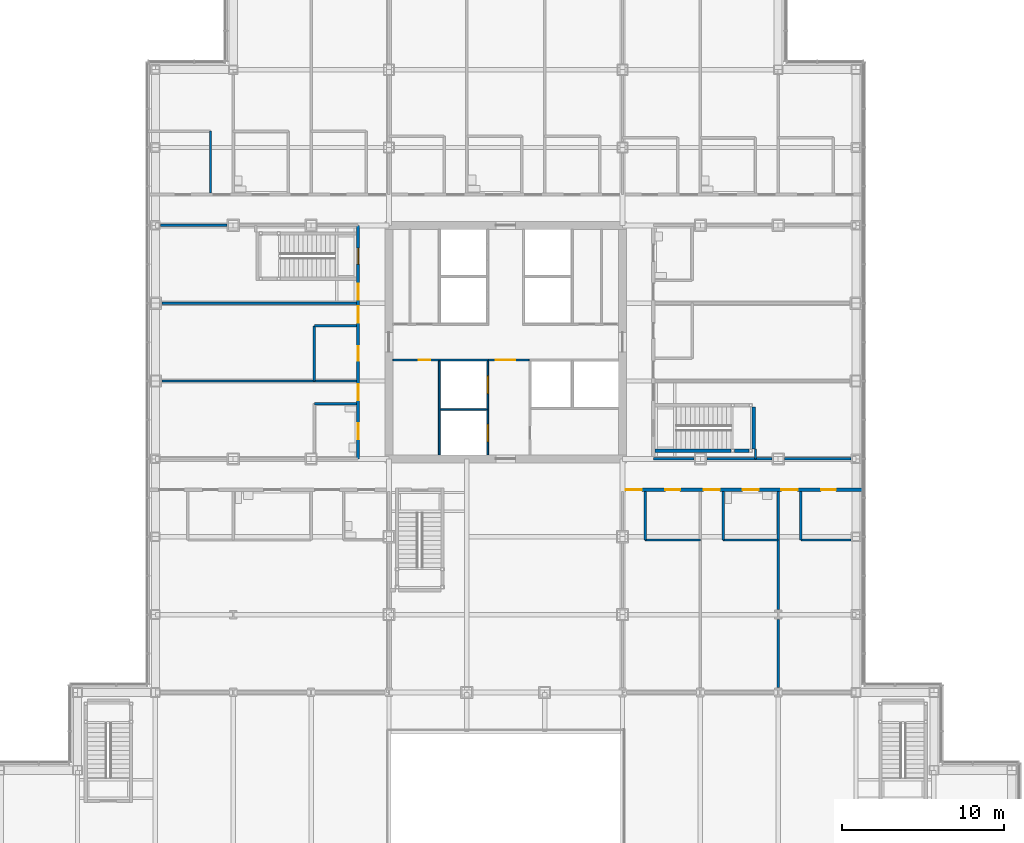
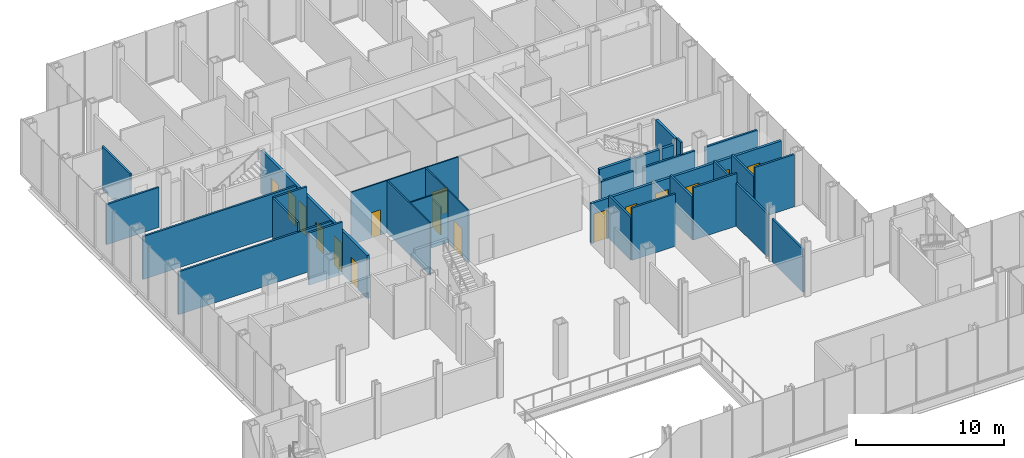
# One storey, part 20 of 25: 29 walls, 16 doors, 16 openings.
"""IFC4 building model written with IfcOpenShell, lengths in metres."""

from ifc_helpers import new_model, si_unit, direction, frame, frame_2d, origin, place, context, subcontext, project, spatial, rectangle, extrude, material, layer, layer_set, type_object, element, fill, save


model = new_model("IFC4")

# Units and contexts
model_context = context("Model", 3, precision=1e-05, world=origin(), true_north=direction((0.0, 1.0)))
body_context = subcontext(model_context, "Body", "Model", "MODEL_VIEW")
ifc_project = project(units=[si_unit("LENGTHUNIT", "METRE"), si_unit("AREAUNIT", "SQUARE_METRE"), si_unit("VOLUMEUNIT", "CUBIC_METRE"), si_unit("PLANEANGLEUNIT", "RADIAN"), si_unit("MASSUNIT", "GRAM", prefix="KILO")], contexts=[model_context])

# Site, building, storey
site_placement = place(None, origin())
site = spatial("IfcSite", under=ifc_project, at=site_placement, CompositionType="ELEMENT")
building_placement = place(site_placement, origin())
building = spatial("IfcBuilding", under=site, at=building_placement, Name="Kvirike Care Tower", CompositionType="ELEMENT")
storey_placement = place(building_placement, frame((0.0, 0.0, 13.5)))
storey = spatial("IfcBuildingStorey", under=building, at=storey_placement, Name="L03", CompositionType="ELEMENT", Elevation=13.5)

# Walls
ifc_material_1 = material(Name="Plasterboard partition", Category="gypsum")
ifc_layer_1 = layer(ifc_material_1, 0.14990234375)
ifc_layer_set_1 = layer_set([ifc_layer_1], Name="CLINIC PARTITION 150")
wall_type_1 = type_object("IfcWallType", Name="CLINIC PARTITION 150", PredefinedType="PARTITIONING", material=ifc_layer_set_1)
wall_1_placement = place(storey_placement, frame((9.800048828125, 37.0, 0.0), z_axis=(0.0, 0.0, 1.0), x_axis=(1.0, 0.0, 0.0)))
element("IfcWall", 1, at=wall_1_placement, inside=storey, type_object=wall_type_1, Name="Clinic Partition 150 L03", PredefinedType="PARTITIONING", context=body_context, shape_type="SweptSolid", body=[
    extrude(rectangle(XDim=2.599853515625, YDim=0.14990234375, at=frame_2d((1.2998046875, 0.0))), origin(), (0.0, 0.0, 1.0), 4.330078125),
])
wall_2_placement = place(storey_placement, frame((9.800048828125, 37.0, 0.0), z_axis=(0.0, 0.0, 1.0), x_axis=(0.0, -1.0, 0.0)))
element("IfcWall", 2, at=wall_2_placement, inside=storey, type_object=wall_type_1, Name="Clinic Partition 150 L03", PredefinedType="PARTITIONING", context=body_context, shape_type="SweptSolid", body=[
    extrude(rectangle(XDim=3.39990234375, YDim=0.14990234375, at=frame_2d((1.699951171875, 0.0))), origin(), (0.0, 0.0, 1.0), 4.330078125),
])
wall_3_placement = place(storey_placement, frame((9.800048828125, 32.199951171875, 0.0), z_axis=(0.0, 0.0, 1.0), x_axis=(1.0, 0.0, 0.0)))
element("IfcWall", 3, at=wall_3_placement, inside=storey, type_object=wall_type_1, Name="Clinic Partition 150 L03", PredefinedType="PARTITIONING", context=body_context, shape_type="SweptSolid", body=[
    extrude(rectangle(XDim=2.599853515625, YDim=0.14990234375, at=frame_2d((1.2998046875, 0.0))), origin(), (0.0, 0.0, 1.0), 4.330078125),
])
for number, where, z_axis, x_axis, name in (
    (4, (0.39501953125, 38.39990234375, 0.0), (0.0, 0.0, 1.0), (1.0, 0.0, 0.0), "Clinic Partition 150 L03"),
    (5, (0.39501953125, 33.60009765625, 0.0), (0.0, 0.0, 1.0), (1.0, 0.0, 0.0), "Clinic Partition 150 L03"),
):
    element("IfcWall", number, at=place(storey_placement, frame(where, z_axis=z_axis, x_axis=x_axis)), inside=storey, type_object=wall_type_1, Name=name, PredefinedType="PARTITIONING", context=body_context, shape_type="SweptSolid", body=[
        extrude(rectangle(XDim=12.0048828125, YDim=0.14990234375, at=frame_2d((6.00244140625, 0.0))), origin(), (0.0, 0.0, 1.0), 3.550048828125),
    ])
wall_4_placement = place(storey_placement, frame((3.39990234375, 49.0, 0.0), z_axis=(0.0, 0.0, 1.0), x_axis=(0.0, -1.0, 0.0)))
element("IfcWall", 6, at=wall_4_placement, inside=storey, type_object=wall_type_1, Name="Clinic Partition 150 L03", PredefinedType="PARTITIONING", context=body_context, shape_type="SweptSolid", body=[
    extrude(rectangle(XDim=3.800048828125, YDim=0.14990234375, at=frame_2d((1.89990234375, 0.0))), origin(), (0.0, 0.0, 1.0), 3.550048828125),
])
wall_5_placement = place(storey_placement, frame((30.199951171875, 23.800048828125, 0.0), z_axis=(0.0, 0.0, 1.0), x_axis=(0.0, 1.0, 0.0)))
element("IfcWall", 7, at=wall_5_placement, inside=storey, type_object=wall_type_1, Name="Clinic Partition 150 L03", PredefinedType="PARTITIONING", context=body_context, shape_type="SweptSolid", body=[
    extrude(rectangle(XDim=3.0, YDim=0.14990234375, at=frame_2d((1.5, 0.0))), origin(), (0.0, 0.0, 1.0), 3.550048828125),
])
wall_6_placement = place(storey_placement, frame((30.199951171875, 23.800048828125, 0.0), z_axis=(0.0, 0.0, 1.0), x_axis=(1.0, 0.0, 0.0)))
element("IfcWall", 8, at=wall_6_placement, inside=storey, type_object=wall_type_1, Name="Clinic Partition 150 L03", PredefinedType="PARTITIONING", context=body_context, shape_type="SweptSolid", body=[
    extrude(rectangle(XDim=3.400146484375, YDim=0.14990234375, at=frame_2d((1.7001953125, 0.0))), origin(), (0.0, 0.0, 1.0), 4.330078125),
])
wall_7_placement = place(storey_placement, frame((35.0, 23.800048828125, 0.0), z_axis=(0.0, 0.0, 1.0), x_axis=(0.0, 1.0, 0.0)))
element("IfcWall", 9, at=wall_7_placement, inside=storey, type_object=wall_type_1, Name="Clinic Partition 150 L03", PredefinedType="PARTITIONING", context=body_context, shape_type="SweptSolid", body=[
    extrude(rectangle(XDim=3.0, YDim=0.14990234375, at=frame_2d((1.5, 0.0))), origin(), (0.0, 0.0, 1.0), 3.550048828125),
])
wall_8_placement = place(storey_placement, frame((35.0, 23.800048828125, 0.0), z_axis=(0.0, 0.0, 1.0), x_axis=(1.0, 0.0, 0.0)))
element("IfcWall", 10, at=wall_8_placement, inside=storey, type_object=wall_type_1, Name="Clinic Partition 150 L03", PredefinedType="PARTITIONING", context=body_context, shape_type="SweptSolid", body=[
    extrude(rectangle(XDim=3.39990234375, YDim=0.14990234375, at=frame_2d((1.699951171875, 0.0))), origin(), (0.0, 0.0, 1.0), 4.330078125),
])
wall_9_placement = place(storey_placement, frame((39.800048828125, 23.800048828125, 0.0), z_axis=(0.0, 0.0, 1.0), x_axis=(0.0, 1.0, 0.0)))
element("IfcWall", 11, at=wall_9_placement, inside=storey, type_object=wall_type_1, Name="Clinic Partition 150 L03", PredefinedType="PARTITIONING", context=body_context, shape_type="SweptSolid", body=[
    extrude(rectangle(XDim=3.0, YDim=0.14990234375, at=frame_2d((1.5, 0.0))), origin(), (0.0, 0.0, 1.0), 3.550048828125),
])
wall_10_placement = place(storey_placement, frame((39.800048828125, 23.800048828125, 0.0), z_axis=(0.0, 0.0, 1.0), x_axis=(1.0, 0.0, 0.0)))
element("IfcWall", 12, at=wall_10_placement, inside=storey, type_object=wall_type_1, Name="Clinic Partition 150 L03", PredefinedType="PARTITIONING", context=body_context, shape_type="SweptSolid", body=[
    extrude(rectangle(XDim=3.079833984375, YDim=0.14990234375, at=frame_2d((1.5400390625, 0.0))), origin(), (0.0, 0.0, 1.0), 4.330078125),
])
wall_11_placement = place(storey_placement, frame((38.39990234375, 14.70458984375, 0.0), z_axis=(0.0, 0.0, 1.0), x_axis=(0.0, 1.0, 0.0)))
element("IfcWall", 13, at=wall_11_placement, inside=storey, type_object=wall_type_1, Name="Clinic Partition 150 L03", PredefinedType="PARTITIONING", context=body_context, shape_type="SweptSolid", body=[
    extrude(rectangle(XDim=4.19091796875, YDim=0.14990234375, at=frame_2d((2.095458984375, 0.0))), origin(), (0.0, 0.0, 1.0), 3.550048828125),
])
wall_12_placement = place(storey_placement, frame((38.39990234375, 19.50439453125, 0.0), z_axis=(0.0, 0.0, 1.0), x_axis=(0.0, 1.0, 0.0)))
element("IfcWall", 14, at=wall_12_placement, inside=storey, type_object=wall_type_1, Name="Clinic Partition 150 L03", PredefinedType="PARTITIONING", context=body_context, shape_type="SweptSolid", body=[
    extrude(rectangle(XDim=7.295654296875, YDim=0.14990234375, at=frame_2d((3.64794921875, 0.0))), origin(), (0.0, 0.0, 1.0), 3.550048828125),
])
wall_13_placement = place(storey_placement, frame((37.0, 28.800048828125, 0.0), z_axis=(0.0, 0.0, 1.0), x_axis=(0.0, 1.0, 0.0)))
element("IfcWall", 15, at=wall_13_placement, inside=storey, type_object=wall_type_1, Name="Clinic Partition 150 L03", PredefinedType="PARTITIONING", context=body_context, shape_type="SweptSolid", body=[
    extrude(rectangle(XDim=0.599853515625, YDim=0.14990234375, at=frame_2d((0.2998046875, 0.0))), origin(), (0.0, 0.0, 1.0), 4.330078125),
])
for number, where, z_axis, x_axis, name in (
    (16, (4.405029296875, 43.199951171875, 0.0), (0.0, 0.0, 1.0), (-1.0, 0.0, 0.0), "Clinic Partition 150 L03"),
    (17, (42.8798828125, 28.800048828125, 0.0), (0.0, 0.0, 1.0), (-1.0, 0.0, 0.0), "Clinic Partition 150 L03"),
):
    element("IfcWall", number, at=place(storey_placement, frame(where, z_axis=z_axis, x_axis=x_axis)), inside=storey, type_object=wall_type_1, Name=name, PredefinedType="PARTITIONING", context=body_context, shape_type="SweptSolid", body=[
        extrude(rectangle(XDim=4.0849609375, YDim=0.14990234375, at=frame_2d((2.04248046875, 0.0))), origin(), (0.0, 0.0, 1.0), 3.320068359375),
    ])
wall_14_placement = place(storey_placement, frame((38.0048828125, 28.800048828125, 0.0), z_axis=(0.0, 0.0, 1.0), x_axis=(-1.0, 0.0, 0.0)))
element("IfcWall", 18, at=wall_14_placement, inside=storey, type_object=wall_type_1, Name="Clinic Partition 150 L03", PredefinedType="PARTITIONING", context=body_context, shape_type="SweptSolid", body=[
    extrude(rectangle(XDim=4.009765625, YDim=0.14990234375, at=frame_2d((2.0048828125, 0.0))), origin(), (0.0, 0.0, 1.0), 3.320068359375),
])
wall_15_placement = place(storey_placement, frame((33.205078125, 28.800048828125, 0.0), z_axis=(0.0, 0.0, 1.0), x_axis=(-1.0, 0.0, 0.0)))
element("IfcWall", 19, at=wall_15_placement, inside=storey, type_object=wall_type_1, Name="Clinic Partition 150 L03", PredefinedType="PARTITIONING", context=body_context, shape_type="SweptSolid", body=[
    extrude(rectangle(XDim=2.505126953125, YDim=0.14990234375, at=frame_2d((1.25244140625, 0.0))), origin(), (0.0, 0.0, 1.0), 3.320068359375),
])

# Wall, openings, doors
ifc_material_2 = material(Name="Plasterboard corridor wall", Category="gypsum")
ifc_layer_2 = layer(ifc_material_2, 0.199951171875)
ifc_layer_set_2 = layer_set([ifc_layer_2], Name="CORRIDOR WALL 200")
wall_type_2 = type_object("IfcWallType", Name="CORRIDOR WALL 200", PredefinedType="PARTITIONING", material=ifc_layer_set_2)
wall_16_placement = place(storey_placement, frame((12.5, 43.199951171875, 0.0), z_axis=(0.0, 0.0, 1.0), x_axis=(0.0, -1.0, 0.0)))
wall_16 = element("IfcWall", 20, at=wall_16_placement, inside=storey, type_object=wall_type_2, Name="Corridor Wall 200 L03", PredefinedType="PARTITIONING", context=body_context, shape_type="SweptSolid", body=[
    extrude(rectangle(XDim=14.39990234375, YDim=0.199951171875, at=frame_2d((7.199951171875, 0.0))), origin(), (0.0, 0.0, 1.0), 3.550048828125),
])
opening_1_placement = place(wall_16_placement, frame((1.39990234375, 0.0, 0.0)))
opening_1 = element("IfcOpeningElement", 21, at=opening_1_placement, cuts=wall_16, Name="Opening 03-006", PredefinedType="OPENING", context=body_context, shape_type="SweptSolid", body=[
    extrude(rectangle(XDim=1.0, YDim=2.10009765625, at=frame_2d((0.5, 1.050048828125))), frame((0.0, 0.110595703125, 0.0), z_axis=(0.0, -1.0, 0.0), x_axis=(1.0, 0.0, 0.0)), (0.0, 0.0, 1.0), 0.220947265625),
])
opening_2_placement = place(wall_16_placement, frame((3.60009765625, 0.0, 0.0)))
opening_2 = element("IfcOpeningElement", 22, at=opening_2_placement, cuts=wall_16, Name="Opening 03-007", PredefinedType="OPENING", context=body_context, shape_type="SweptSolid", body=[
    extrude(rectangle(XDim=1.0, YDim=2.39990234375, at=frame_2d((0.5, 1.199951171875))), frame((0.0, 0.110595703125, 0.0), z_axis=(0.0, -1.0, 0.0), x_axis=(1.0, 0.0, 0.0)), (0.0, 0.0, 1.0), 0.220947265625),
])
opening_3_placement = place(wall_16_placement, frame((5.0, 0.0, 0.0)))
opening_3 = element("IfcOpeningElement", 23, at=opening_3_placement, cuts=wall_16, Name="Opening 03-008", PredefinedType="OPENING", context=body_context, shape_type="SweptSolid", body=[
    extrude(rectangle(XDim=1.0, YDim=2.39990234375, at=frame_2d((0.5, 1.199951171875))), frame((0.0, 0.110595703125, 0.0), z_axis=(0.0, -1.0, 0.0), x_axis=(1.0, 0.0, 0.0)), (0.0, 0.0, 1.0), 0.220947265625),
])
opening_4_placement = place(wall_16_placement, frame((9.800048828125, 0.0, 0.0)))
opening_4 = element("IfcOpeningElement", 24, at=opening_4_placement, cuts=wall_16, Name="Opening 03-009", PredefinedType="OPENING", context=body_context, shape_type="SweptSolid", body=[
    extrude(rectangle(XDim=1.0, YDim=2.39990234375, at=frame_2d((0.5, 1.199951171875))), frame((0.0, 0.110595703125, 0.0), z_axis=(0.0, -1.0, 0.0), x_axis=(1.0, 0.0, 0.0)), (0.0, 0.0, 1.0), 0.220947265625),
])
opening_5_placement = place(wall_16_placement, frame((7.449951171875, 0.0, 0.0)))
opening_5 = element("IfcOpeningElement", 25, at=opening_5_placement, cuts=wall_16, Name="Opening 03-010", PredefinedType="OPENING", context=body_context, shape_type="SweptSolid", body=[
    extrude(rectangle(XDim=0.89990234375, YDim=2.10009765625, at=frame_2d((0.449951171875, 1.050048828125))), frame((0.0, 0.110595703125, 0.0), z_axis=(0.0, -1.0, 0.0), x_axis=(1.0, 0.0, 0.0)), (0.0, 0.0, 1.0), 0.220947265625),
])
opening_6_placement = place(wall_16_placement, frame((12.199951171875, 0.0, 0.0)))
opening_6 = element("IfcOpeningElement", 26, at=opening_6_placement, cuts=wall_16, Name="Opening 03-011", PredefinedType="OPENING", context=body_context, shape_type="SweptSolid", body=[
    extrude(rectangle(XDim=1.0, YDim=2.10009765625, at=frame_2d((0.5, 1.050048828125))), frame((0.0, 0.110595703125, 0.0), z_axis=(0.0, -1.0, 0.0), x_axis=(1.0, 0.0, 0.0)), (0.0, 0.0, 1.0), 0.220947265625),
])
ifc_material_3 = material(Name="Timber door set", Category="wood")
door_type_1 = type_object("IfcDoorType", Name="CONSULTING ROOM DOOR 1000", OperationType="SINGLE_SWING_LEFT", PredefinedType="DOOR", material=ifc_material_3)
door_1_placement = place(opening_2_placement, frame((1.0, 0.0, 0.0), z_axis=(0.0, 0.0, 1.0), x_axis=(-1.0, 0.0, 0.0)))
door_1 = element("IfcDoor", 27, at=door_1_placement, inside=storey, type_object=door_type_1, Name="Card room door", OperationType="SINGLE_SWING_LEFT", OverallHeight=2.39990234375, OverallWidth=1.0, PredefinedType="DOOR", context=body_context, shape_type="SweptSolid", body=[
    extrude(rectangle(XDim=1.0, YDim=2.39990234375, at=frame_2d((0.5, 1.199951171875))), frame((0.0, 0.02685546875, 0.0), z_axis=(0.0, -1.0, 0.0), x_axis=(1.0, 0.0, 0.0)), (0.0, 0.0, 1.0), 0.053955078125),
])
fill(opening_2, door_1)
door_2_placement = place(opening_3_placement, frame((1.0, 0.0, 0.0), z_axis=(0.0, 0.0, 1.0), x_axis=(-1.0, 0.0, 0.0)))
door_2 = element("IfcDoor", 28, at=door_2_placement, inside=storey, type_object=door_type_1, Name="Games room door", OperationType="SINGLE_SWING_RIGHT", OverallHeight=2.39990234375, OverallWidth=1.0, PredefinedType="DOOR", context=body_context, shape_type="SweptSolid", body=[
    extrude(rectangle(XDim=1.0, YDim=2.39990234375, at=frame_2d((0.5, 1.199951171875))), frame((0.0, 0.02685546875, 0.0), z_axis=(0.0, -1.0, 0.0), x_axis=(1.0, 0.0, 0.0)), (0.0, 0.0, 1.0), 0.053955078125),
])
fill(opening_3, door_2)
door_3_placement = place(opening_4_placement, frame((1.0, 0.0, 0.0), z_axis=(0.0, 0.0, 1.0), x_axis=(-1.0, 0.0, 0.0)))
door_3 = element("IfcDoor", 29, at=door_3_placement, inside=storey, type_object=door_type_1, Name="Games room door", OperationType="SINGLE_SWING_RIGHT", OverallHeight=2.39990234375, OverallWidth=1.0, PredefinedType="DOOR", context=body_context, shape_type="SweptSolid", body=[
    extrude(rectangle(XDim=1.0, YDim=2.39990234375, at=frame_2d((0.5, 1.199951171875))), frame((0.0, 0.02685546875, 0.0), z_axis=(0.0, -1.0, 0.0), x_axis=(1.0, 0.0, 0.0)), (0.0, 0.0, 1.0), 0.053955078125),
])
fill(opening_4, door_3)
ifc_material_4 = material(Name="Timber door set", Category="wood")
door_type_2 = type_object("IfcDoorType", Name="STAIR DOOR 1000", OperationType="SINGLE_SWING_LEFT", PredefinedType="DOOR", material=ifc_material_4)
door_4_placement = place(opening_1_placement, frame((1.0, 0.0, 0.0), z_axis=(0.0, 0.0, 1.0), x_axis=(-1.0, 0.0, 0.0)))
door_4 = element("IfcDoor", 30, at=door_4_placement, inside=storey, type_object=door_type_2, Name="Stair 1 door", OperationType="SINGLE_SWING_RIGHT", OverallHeight=2.10009765625, OverallWidth=1.0, PredefinedType="DOOR", context=body_context, shape_type="SweptSolid", body=[
    extrude(rectangle(XDim=1.0, YDim=2.10009765625, at=frame_2d((0.5, 1.050048828125))), frame((0.0, 0.031982421875, 0.0), z_axis=(0.0, -1.0, 0.0), x_axis=(1.0, 0.0, 0.0)), (0.0, 0.0, 1.0), 0.06396484375),
])
fill(opening_1, door_4)
ifc_material_5 = material(Name="Timber door set", Category="wood")
door_type_3 = type_object("IfcDoorType", Name="STORE DOOR 900", OperationType="SINGLE_SWING_LEFT", PredefinedType="DOOR", material=ifc_material_5)
door_5_placement = place(opening_5_placement, frame((0.89990234375, 0.0, 0.0), z_axis=(0.0, 0.0, 1.0), x_axis=(-1.0, 0.0, 0.0)))
door_5 = element("IfcDoor", 31, at=door_5_placement, inside=storey, type_object=door_type_3, Name="Store door", OperationType="SINGLE_SWING_LEFT", OverallHeight=2.10009765625, OverallWidth=0.89990234375, PredefinedType="DOOR", context=body_context, shape_type="SweptSolid", body=[
    extrude(rectangle(XDim=0.89990234375, YDim=2.10009765625, at=frame_2d((0.449951171875, 1.050048828125))), frame((0.0, 0.02685546875, 0.0), z_axis=(0.0, -1.0, 0.0), x_axis=(1.0, 0.0, 0.0)), (0.0, 0.0, 1.0), 0.053955078125),
])
fill(opening_5, door_5)
ifc_material_6 = material(Name="Timber door set", Category="wood")
door_type_4 = type_object("IfcDoorType", Name="WC DOOR 1000", OperationType="SINGLE_SWING_LEFT", PredefinedType="DOOR", material=ifc_material_6)
door_6_placement = place(opening_6_placement, frame((1.0, 0.0, 0.0), z_axis=(0.0, 0.0, 1.0), x_axis=(-1.0, 0.0, 0.0)))
door_6 = element("IfcDoor", 32, at=door_6_placement, inside=storey, type_object=door_type_4, Name="Staff WC door", OperationType="SINGLE_SWING_LEFT", OverallHeight=2.10009765625, OverallWidth=1.0, PredefinedType="DOOR", context=body_context, shape_type="SweptSolid", body=[
    extrude(rectangle(XDim=1.0, YDim=2.10009765625, at=frame_2d((0.5, 1.050048828125))), frame((0.0, 0.02685546875, 0.0), z_axis=(0.0, -1.0, 0.0), x_axis=(1.0, 0.0, 0.0)), (0.0, 0.0, 1.0), 0.053955078125),
])
fill(opening_6, door_6)

wall_17_placement = place(storey_placement, frame((28.800048828125, 26.89990234375, 0.0), z_axis=(0.0, 0.0, 1.0), x_axis=(1.0, 0.0, 0.0)))
wall_17 = element("IfcWall", 33, at=wall_17_placement, inside=storey, type_object=wall_type_2, Name="Corridor Wall 200 L03", PredefinedType="PARTITIONING", context=body_context, shape_type="SweptSolid", body=[
    extrude(rectangle(XDim=14.85498046875, YDim=0.199951171875, at=frame_2d((7.427490234375, 0.0))), origin(), (0.0, 0.0, 1.0), 3.320068359375),
])
opening_7_placement = place(wall_17_placement, frame((0.199951171875, 0.0, 0.0)))
opening_7 = element("IfcOpeningElement", 34, at=opening_7_placement, cuts=wall_17, Name="Opening 03-025", PredefinedType="OPENING", context=body_context, shape_type="SweptSolid", body=[
    extrude(rectangle(XDim=1.0, YDim=2.39990234375, at=frame_2d((0.5, 1.199951171875))), frame((0.0, 0.110595703125, 0.0), z_axis=(0.0, -1.0, 0.0), x_axis=(1.0, 0.0, 0.0)), (0.0, 0.0, 1.0), 0.220947265625),
])
opening_8_placement = place(wall_17_placement, frame((5.0, 0.0, 0.0)))
opening_8 = element("IfcOpeningElement", 35, at=opening_8_placement, cuts=wall_17, Name="Opening 03-026", PredefinedType="OPENING", context=body_context, shape_type="SweptSolid", body=[
    extrude(rectangle(XDim=1.0, YDim=2.39990234375, at=frame_2d((0.5, 1.199951171875))), frame((0.0, 0.110595703125, 0.0), z_axis=(0.0, -1.0, 0.0), x_axis=(1.0, 0.0, 0.0)), (0.0, 0.0, 1.0), 0.220947265625),
])
opening_9_placement = place(wall_17_placement, frame((9.800048828125, 0.0, 0.0)))
opening_9 = element("IfcOpeningElement", 36, at=opening_9_placement, cuts=wall_17, Name="Opening 03-027", PredefinedType="OPENING", context=body_context, shape_type="SweptSolid", body=[
    extrude(rectangle(XDim=1.0, YDim=2.39990234375, at=frame_2d((0.5, 1.199951171875))), frame((0.0, 0.110595703125, 0.0), z_axis=(0.0, -1.0, 0.0), x_axis=(1.0, 0.0, 0.0)), (0.0, 0.0, 1.0), 0.220947265625),
])
opening_10_placement = place(wall_17_placement, frame((2.64990234375, 0.0, 0.0)))
opening_10 = element("IfcOpeningElement", 37, at=opening_10_placement, cuts=wall_17, Name="Opening 03-028", PredefinedType="OPENING", context=body_context, shape_type="SweptSolid", body=[
    extrude(rectangle(XDim=0.89990234375, YDim=2.10009765625, at=frame_2d((0.449951171875, 1.050048828125))), frame((0.0, 0.110595703125, 0.0), z_axis=(0.0, -1.0, 0.0), x_axis=(1.0, 0.0, 0.0)), (0.0, 0.0, 1.0), 0.220947265625),
])
opening_11_placement = place(wall_17_placement, frame((7.39990234375, 0.0, 0.0)))
opening_11 = element("IfcOpeningElement", 38, at=opening_11_placement, cuts=wall_17, Name="Opening 03-029", PredefinedType="OPENING", context=body_context, shape_type="SweptSolid", body=[
    extrude(rectangle(XDim=1.0, YDim=2.10009765625, at=frame_2d((0.5, 1.050048828125))), frame((0.0, 0.110595703125, 0.0), z_axis=(0.0, -1.0, 0.0), x_axis=(1.0, 0.0, 0.0)), (0.0, 0.0, 1.0), 0.220947265625),
])
opening_12_placement = place(wall_17_placement, frame((12.25, 0.0, 0.0)))
opening_12 = element("IfcOpeningElement", 39, at=opening_12_placement, cuts=wall_17, Name="Opening 03-030", PredefinedType="OPENING", context=body_context, shape_type="SweptSolid", body=[
    extrude(rectangle(XDim=0.89990234375, YDim=2.10009765625, at=frame_2d((0.449951171875, 1.050048828125))), frame((0.0, 0.110595703125, 0.0), z_axis=(0.0, -1.0, 0.0), x_axis=(1.0, 0.0, 0.0)), (0.0, 0.0, 1.0), 0.220947265625),
])
door_7_placement = place(opening_7_placement, frame((1.0, 0.0, 0.0), z_axis=(0.0, 0.0, 1.0), x_axis=(-1.0, 0.0, 0.0)))
door_7 = element("IfcDoor", 40, at=door_7_placement, inside=storey, type_object=door_type_1, Name="Private dining room door", OperationType="SINGLE_SWING_RIGHT", OverallHeight=2.39990234375, OverallWidth=1.0, PredefinedType="DOOR", context=body_context, shape_type="SweptSolid", body=[
    extrude(rectangle(XDim=1.0, YDim=2.39990234375, at=frame_2d((0.5, 1.199951171875))), frame((0.0, 0.02685546875, 0.0), z_axis=(0.0, -1.0, 0.0), x_axis=(1.0, 0.0, 0.0)), (0.0, 0.0, 1.0), 0.053955078125),
])
fill(opening_7, door_7)
door_8_placement = place(opening_8_placement, frame((1.0, 0.0, 0.0), z_axis=(0.0, 0.0, 1.0), x_axis=(-1.0, 0.0, 0.0)))
door_8 = element("IfcDoor", 41, at=door_8_placement, inside=storey, type_object=door_type_1, Name="Private dining room door", OperationType="SINGLE_SWING_LEFT", OverallHeight=2.39990234375, OverallWidth=1.0, PredefinedType="DOOR", context=body_context, shape_type="SweptSolid", body=[
    extrude(rectangle(XDim=1.0, YDim=2.39990234375, at=frame_2d((0.5, 1.199951171875))), frame((0.0, 0.02685546875, 0.0), z_axis=(0.0, -1.0, 0.0), x_axis=(1.0, 0.0, 0.0)), (0.0, 0.0, 1.0), 0.053955078125),
])
fill(opening_8, door_8)
door_9_placement = place(opening_9_placement, frame((1.0, 0.0, 0.0), z_axis=(0.0, 0.0, 1.0), x_axis=(-1.0, 0.0, 0.0)))
door_9 = element("IfcDoor", 42, at=door_9_placement, inside=storey, type_object=door_type_1, Name="Bar door", OperationType="SINGLE_SWING_LEFT", OverallHeight=2.39990234375, OverallWidth=1.0, PredefinedType="DOOR", context=body_context, shape_type="SweptSolid", body=[
    extrude(rectangle(XDim=1.0, YDim=2.39990234375, at=frame_2d((0.5, 1.199951171875))), frame((0.0, 0.02685546875, 0.0), z_axis=(0.0, -1.0, 0.0), x_axis=(1.0, 0.0, 0.0)), (0.0, 0.0, 1.0), 0.053955078125),
])
fill(opening_9, door_9)
door_10_placement = place(opening_10_placement, frame((0.89990234375, 0.0, 0.0), z_axis=(0.0, 0.0, 1.0), x_axis=(-1.0, 0.0, 0.0)))
door_10 = element("IfcDoor", 43, at=door_10_placement, inside=storey, type_object=door_type_3, Name="Store door", OperationType="SINGLE_SWING_LEFT", OverallHeight=2.10009765625, OverallWidth=0.89990234375, PredefinedType="DOOR", context=body_context, shape_type="SweptSolid", body=[
    extrude(rectangle(XDim=0.89990234375, YDim=2.10009765625, at=frame_2d((0.449951171875, 1.050048828125))), frame((0.0, 0.02685546875, 0.0), z_axis=(0.0, -1.0, 0.0), x_axis=(1.0, 0.0, 0.0)), (0.0, 0.0, 1.0), 0.053955078125),
])
fill(opening_10, door_10)
door_11_placement = place(opening_12_placement, frame((0.89990234375, 0.0, 0.0), z_axis=(0.0, 0.0, 1.0), x_axis=(-1.0, 0.0, 0.0)))
door_11 = element("IfcDoor", 44, at=door_11_placement, inside=storey, type_object=door_type_3, Name="Store door", OperationType="SINGLE_SWING_RIGHT", OverallHeight=2.10009765625, OverallWidth=0.89990234375, PredefinedType="DOOR", context=body_context, shape_type="SweptSolid", body=[
    extrude(rectangle(XDim=0.89990234375, YDim=2.10009765625, at=frame_2d((0.449951171875, 1.050048828125))), frame((0.0, 0.02685546875, 0.0), z_axis=(0.0, -1.0, 0.0), x_axis=(1.0, 0.0, 0.0)), (0.0, 0.0, 1.0), 0.053955078125),
])
fill(opening_12, door_11)
door_12_placement = place(opening_11_placement, frame((1.0, 0.0, 0.0), z_axis=(0.0, 0.0, 1.0), x_axis=(-1.0, 0.0, 0.0)))
door_12 = element("IfcDoor", 45, at=door_12_placement, inside=storey, type_object=door_type_4, Name="Accessible WC door", OperationType="SINGLE_SWING_RIGHT", OverallHeight=2.10009765625, OverallWidth=1.0, PredefinedType="DOOR", context=body_context, shape_type="SweptSolid", body=[
    extrude(rectangle(XDim=1.0, YDim=2.10009765625, at=frame_2d((0.5, 1.050048828125))), frame((0.0, 0.02685546875, 0.0), z_axis=(0.0, -1.0, 0.0), x_axis=(1.0, 0.0, 0.0)), (0.0, 0.0, 1.0), 0.053955078125),
])
fill(opening_11, door_12)

ifc_material_7 = material(Name="Gypsum shaft wall system", Category="gypsum")
ifc_layer_3 = layer(ifc_material_7, 0.10009765625)
ifc_layer_set_3 = layer_set([ifc_layer_3], Name="SHAFT WALL 100")
wall_type_3 = type_object("IfcWallType", Name="SHAFT WALL 100", PredefinedType="SOLIDWALL", material=ifc_layer_set_3)
wall_18_placement = place(storey_placement, frame((20.5, 29.050048828125, 0.0), z_axis=(0.0, 0.0, 1.0), x_axis=(0.0, 1.0, 0.0)))
wall_18 = element("IfcWall", 46, at=wall_18_placement, inside=storey, type_object=wall_type_3, Name="Shaft Wall 100 L03", PredefinedType="SOLIDWALL", context=body_context, shape_type="SweptSolid", body=[
    extrude(rectangle(XDim=5.800048828125, YDim=0.10009765625, at=frame_2d((2.89990234375, 0.0))), origin(), (0.0, 0.0, 1.0), 4.330078125),
])
opening_13_placement = place(wall_18_placement, frame((0.800048828125, 0.0, 0.0)))
opening_13 = element("IfcOpeningElement", 47, at=opening_13_placement, cuts=wall_18, Name="Opening 03-047", PredefinedType="OPENING", context=body_context, shape_type="SweptSolid", body=[
    extrude(rectangle(XDim=1.10009765625, YDim=2.300048828125, at=frame_2d((0.550048828125, 1.14990234375))), frame((0.0, 0.060546875, 0.0), z_axis=(0.0, -1.0, 0.0), x_axis=(1.0, 0.0, 0.0)), (0.0, 0.0, 1.0), 0.12109375),
])
opening_14_placement = place(wall_18_placement, frame((3.77490234375, 0.0, 0.0)))
opening_14 = element("IfcOpeningElement", 48, at=opening_14_placement, cuts=wall_18, Name="Opening 03-048", PredefinedType="OPENING", context=body_context, shape_type="SweptSolid", body=[
    extrude(rectangle(XDim=1.10009765625, YDim=2.300048828125, at=frame_2d((0.550048828125, 1.14990234375))), frame((0.0, 0.060546875, 0.0), z_axis=(0.0, -1.0, 0.0), x_axis=(1.0, 0.0, 0.0)), (0.0, 0.0, 1.0), 0.12109375),
])
ifc_material_8 = material(Name="Aluminium door frame", Category="aluminium")
door_type_5 = type_object("IfcDoorType", Name="FIRE-FIGHTING LIFT LANDING DOOR 1100", OperationType="SLIDING_TO_LEFT", PredefinedType="DOOR", material=ifc_material_8)
door_13_placement = place(opening_13_placement, origin())
door_13 = element("IfcDoor", 49, at=door_13_placement, inside=storey, type_object=door_type_5, Name="Lift FF1 landing door", OperationType="SLIDING_TO_LEFT", OverallHeight=2.300048828125, OverallWidth=1.10009765625, PredefinedType="DOOR", context=body_context, shape_type="SweptSolid", body=[
    extrude(rectangle(XDim=1.10009765625, YDim=2.300048828125, at=frame_2d((0.550048828125, 1.14990234375))), frame((0.0, 0.0498046875, 0.0), z_axis=(0.0, -1.0, 0.0), x_axis=(1.0, 0.0, 0.0)), (0.0, 0.0, 1.0), 0.099609375),
])
fill(opening_13, door_13)
door_14_placement = place(opening_14_placement, origin())
door_14 = element("IfcDoor", 50, at=door_14_placement, inside=storey, type_object=door_type_5, Name="Lift FF2 landing door", OperationType="SLIDING_TO_LEFT", OverallHeight=2.300048828125, OverallWidth=1.10009765625, PredefinedType="DOOR", context=body_context, shape_type="SweptSolid", body=[
    extrude(rectangle(XDim=1.10009765625, YDim=2.300048828125, at=frame_2d((0.550048828125, 1.14990234375))), frame((0.0, 0.0498046875, 0.0), z_axis=(0.0, -1.0, 0.0), x_axis=(1.0, 0.0, 0.0)), (0.0, 0.0, 1.0), 0.099609375),
])
fill(opening_14, door_14)

# Wall, opening, door
wall_19_placement = place(storey_placement, frame((14.64990234375, 34.89990234375, 0.0), z_axis=(0.0, 0.0, 1.0), x_axis=(1.0, 0.0, 0.0)))
wall_19 = element("IfcWall", 51, at=wall_19_placement, inside=storey, type_object=wall_type_3, Name="Shaft Wall 100 L03", PredefinedType="SOLIDWALL", context=body_context, shape_type="SweptSolid", body=[
    extrude(rectangle(XDim=5.900146484375, YDim=0.10009765625, at=frame_2d((2.9501953125, 0.0))), origin(), (0.0, 0.0, 1.0), 4.330078125),
])
opening_15_placement = place(wall_19_placement, frame((1.60009765625, 0.0, 0.0)))
opening_15 = element("IfcOpeningElement", 52, at=opening_15_placement, cuts=wall_19, Name="Opening 03-052", PredefinedType="OPENING", context=body_context, shape_type="SweptSolid", body=[
    extrude(rectangle(XDim=0.699951171875, YDim=2.10009765625, at=frame_2d((0.35009765625, 1.050048828125))), frame((0.0, 0.060546875, 0.0), z_axis=(0.0, -1.0, 0.0), x_axis=(1.0, 0.0, 0.0)), (0.0, 0.0, 1.0), 0.12109375),
])
ifc_material_9 = material(Name="Timber door set", Category="wood")
door_type_6 = type_object("IfcDoorType", Name="RISER DOOR 700", OperationType="SINGLE_SWING_LEFT", PredefinedType="DOOR", material=ifc_material_9)
door_15_placement = place(opening_15_placement, frame((0.699951171875, 0.0, 0.0), z_axis=(0.0, 0.0, 1.0), x_axis=(-1.0, 0.0, 0.0)))
door_15 = element("IfcDoor", 53, at=door_15_placement, inside=storey, type_object=door_type_6, Name="Riser door", OperationType="SINGLE_SWING_RIGHT", OverallHeight=2.10009765625, OverallWidth=0.699951171875, PredefinedType="DOOR", context=body_context, shape_type="SweptSolid", body=[
    extrude(rectangle(XDim=0.699951171875, YDim=2.10009765625, at=frame_2d((0.35009765625, 1.050048828125))), frame((0.0, 0.02685546875, 0.0), z_axis=(0.0, -1.0, 0.0), x_axis=(1.0, 0.0, 0.0)), (0.0, 0.0, 1.0), 0.053955078125),
])
fill(opening_15, door_15)

wall_20_placement = place(storey_placement, frame((20.550048828125, 34.89990234375, 0.0), z_axis=(0.0, 0.0, 1.0), x_axis=(1.0, 0.0, 0.0)))
wall_20 = element("IfcWall", 54, at=wall_20_placement, inside=storey, type_object=wall_type_3, Name="Shaft Wall 100 L03", PredefinedType="SOLIDWALL", context=body_context, shape_type="SweptSolid", body=[
    extrude(rectangle(XDim=2.5, YDim=0.10009765625, at=frame_2d((1.25, 0.0))), origin(), (0.0, 0.0, 1.0), 4.330078125),
])
opening_16_placement = place(wall_20_placement, frame((0.449951171875, 0.0, 0.0)))
opening_16 = element("IfcOpeningElement", 55, at=opening_16_placement, cuts=wall_20, Name="Opening 03-057", PredefinedType="OPENING", context=body_context, shape_type="SweptSolid", body=[
    extrude(rectangle(XDim=1.199951171875, YDim=2.10009765625, at=frame_2d((0.60009765625, 1.050048828125))), frame((0.0, 0.060546875, 0.0), z_axis=(0.0, -1.0, 0.0), x_axis=(1.0, 0.0, 0.0)), (0.0, 0.0, 1.0), 0.12109375),
])
ifc_material_10 = material(Name="Timber door set", Category="wood")
door_type_7 = type_object("IfcDoorType", Name="CORE DOOR 1200", OperationType="SINGLE_SWING_LEFT", PredefinedType="DOOR", material=ifc_material_10)
door_16_placement = place(opening_16_placement, frame((1.199951171875, 0.0, 0.0), z_axis=(0.0, 0.0, 1.0), x_axis=(-1.0, 0.0, 0.0)))
door_16 = element("IfcDoor", 56, at=door_16_placement, inside=storey, type_object=door_type_7, Name="Fire-fighting lobby door", OperationType="SINGLE_SWING_LEFT", OverallHeight=2.10009765625, OverallWidth=1.199951171875, PredefinedType="DOOR", context=body_context, shape_type="SweptSolid", body=[
    extrude(rectangle(XDim=1.199951171875, YDim=2.10009765625, at=frame_2d((0.60009765625, 1.050048828125))), frame((0.0, 0.02685546875, 0.0), z_axis=(0.0, -1.0, 0.0), x_axis=(1.0, 0.0, 0.0)), (0.0, 0.0, 1.0), 0.053955078125),
])
fill(opening_16, door_16)

# Walls
wall_21_placement = place(storey_placement, frame((17.5, 29.050048828125, 0.0), z_axis=(0.0, 0.0, 1.0), x_axis=(0.0, 1.0, 0.0)))
element("IfcWall", 57, at=wall_21_placement, inside=storey, type_object=wall_type_3, Name="Shaft Wall 100 L03", PredefinedType="SOLIDWALL", context=body_context, shape_type="SweptSolid", body=[
    extrude(rectangle(XDim=5.800048828125, YDim=0.10009765625, at=frame_2d((2.89990234375, 0.0))), origin(), (0.0, 0.0, 1.0), 4.330078125),
])
wall_22_placement = place(storey_placement, frame((17.550048828125, 31.85009765625, 0.0), z_axis=(0.0, 0.0, 1.0), x_axis=(1.0, 0.0, 0.0)))
element("IfcWall", 58, at=wall_22_placement, inside=storey, type_object=wall_type_3, Name="Shaft Wall 100 L03", PredefinedType="SOLIDWALL", context=body_context, shape_type="SweptSolid", body=[
    extrude(rectangle(XDim=2.89990234375, YDim=0.10009765625, at=frame_2d((1.449951171875, 0.0))), origin(), (0.0, 0.0, 1.0), 4.330078125),
])
ifc_material_11 = material(Name="Concrete C40/50", Category="concrete")
ifc_layer_4 = layer(ifc_material_11, 0.199951171875)
ifc_layer_set_4 = layer_set([ifc_layer_4], Name="STAIR WALL 200")
wall_type_4 = type_object("IfcWallType", Name="STAIR WALL 200", PredefinedType="SOLIDWALL", material=ifc_layer_set_4)
wall_23_placement = place(storey_placement, frame((36.60009765625, 29.300048828125, 0.0), z_axis=(0.0, 0.0, 1.0), x_axis=(-1.0, 0.0, 0.0)))
element("IfcWall", 59, at=wall_23_placement, inside=storey, type_object=wall_type_4, Name="Stair Wall 200 L03", PredefinedType="SOLIDWALL", context=body_context, shape_type="SweptSolid", body=[
    extrude(rectangle(XDim=0.900146484375, YDim=0.199951171875, at=frame_2d((0.4501953125, 0.0))), origin(), (0.0, 0.0, 1.0), 3.989990234375),
])
wall_24_placement = place(storey_placement, frame((35.5, 29.300048828125, 0.0), z_axis=(0.0, 0.0, 1.0), x_axis=(-1.0, 0.0, 0.0)))
element("IfcWall", 60, at=wall_24_placement, inside=storey, type_object=wall_type_4, Name="Stair Wall 200 L03", PredefinedType="SOLIDWALL", context=body_context, shape_type="SweptSolid", body=[
    extrude(rectangle(XDim=4.699951171875, YDim=0.199951171875, at=frame_2d((2.35009765625, 0.0))), origin(), (0.0, 0.0, 1.0), 3.989990234375),
])
wall_25_placement = place(storey_placement, frame((36.89990234375, 29.39990234375, 0.0), z_axis=(0.0, 0.0, 1.0), x_axis=(0.0, 1.0, 0.0)))
element("IfcWall", 61, at=wall_25_placement, inside=storey, type_object=wall_type_4, Name="Stair Wall 200 L03", PredefinedType="SOLIDWALL", context=body_context, shape_type="SweptSolid", body=[
    extrude(rectangle(XDim=2.60009765625, YDim=0.199951171875, at=frame_2d((1.300048828125, 0.0))), origin(), (0.0, 0.0, 1.0), 4.330078125),
])

save(model, "model.ifc")
